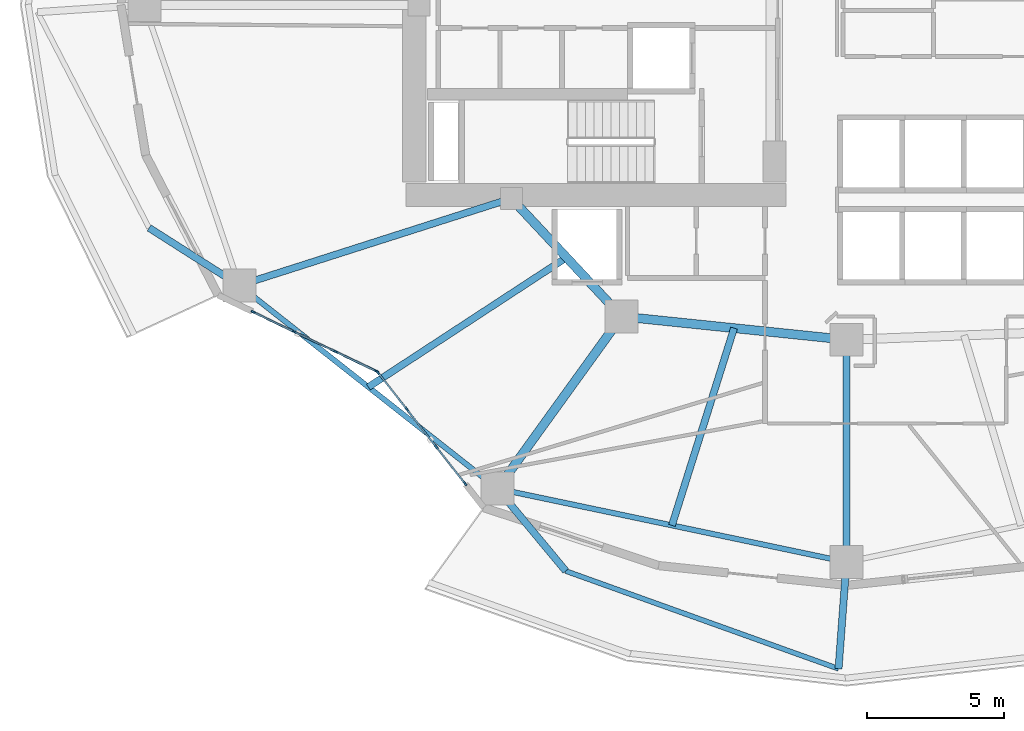
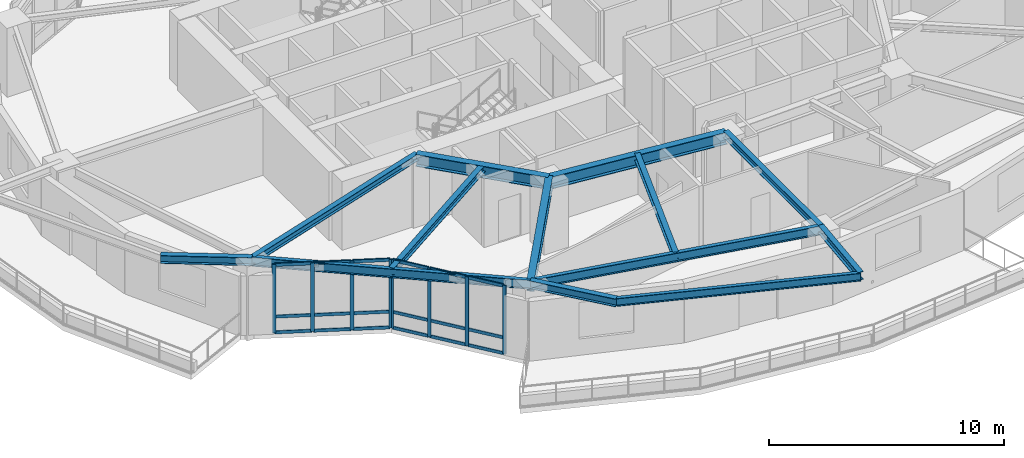
# One storey, part 2 of 18: 26 members, 13 beams, 2 elements without a shape of their own.
"""IFC4 building model written with IfcOpenShell, lengths in metres."""

import ifcopenshell
import ifcopenshell.guid

model = None  # the IFC model being written
_history = None  # IfcOwnerHistory: only IFC2X3 demands one
_inside = {}  # id of a spatial element -> (the spatial element, [elements in it])
_under = {}  # id of a project, library or spatial element -> (it, [spatial elements below it])
_declared = {}  # id of a project -> (the project, [libraries it declares])
_typed = {}  # id of a type object -> (the type object, [elements of that type])
_made_of = {}  # id of a material, layer set ... -> (it, [elements and type objects made of it])


def new_model(schema):
    """Start an empty IFC model of exactly this schema.

    Asked for "IFC4X3", IfcOpenShell would pick the latest addendum, in which some entities
    have other attributes; the version numbers below select the first issue.
    IFC2X3 requires an IfcOwnerHistory on every rooted entity: one is made here for all.
    """
    global model, _history
    if schema == "IFC4X3":
        model = ifcopenshell.file(schema_version=(4, 3, 0, 0))
    else:
        model = ifcopenshell.file(schema=schema)
    _inside.clear()
    _under.clear()
    _declared.clear()
    _typed.clear()
    _made_of.clear()
    _history = None
    if model.schema == "IFC2X3":
        org = make("IfcOrganization", Name="unknown")
        user = make(
            "IfcPersonAndOrganization",
            ThePerson=make("IfcPerson", FamilyName="unknown"),
            TheOrganization=org,
        )
        app = make(
            "IfcApplication",
            ApplicationDeveloper=org,
            Version="unknown",
            ApplicationFullName="unknown",
            ApplicationIdentifier="unknown",
        )
        _history = make(
            "IfcOwnerHistory",
            OwningUser=user,
            OwningApplication=app,
            ChangeAction="ADDED",
            CreationDate=0,
        )
    return model


def make(cls, **values):
    """One entity of the class cls with the attributes given. An attribute that is None is left unset."""
    return model.create_entity(
        cls, **{name: value for name, value in values.items() if value is not None}
    )


def rooted(cls, **values):
    """An entity with a GlobalId (a new one), such as an element, a storey or a relation."""
    return make(cls, GlobalId=ifcopenshell.guid.new(), OwnerHistory=_history, **values)


def si_unit(unit_type, name, prefix=None):
    """IfcSIUnit, for example si_unit("LENGTHUNIT", "METRE", prefix="MILLI")."""
    return make("IfcSIUnit", UnitType=unit_type, Prefix=prefix, Name=name)


def assignment(units):
    """IfcUnitAssignment: the units of a project."""
    return None if units is None else make("IfcUnitAssignment", Units=units)


def point(xyz):
    """IfcCartesianPoint."""
    return None if xyz is None else make("IfcCartesianPoint", Coordinates=xyz)


def direction(xyz):
    """IfcDirection."""
    return None if xyz is None else make("IfcDirection", DirectionRatios=xyz)


def frame(location, z_axis=None, x_axis=None):
    """IfcAxis2Placement3D, a coordinate frame: its origin and axes. An axis left out is left unset."""
    return make(
        "IfcAxis2Placement3D",
        Location=point(location),
        Axis=direction(z_axis),
        RefDirection=direction(x_axis),
    )


def frame_2d(location, x_axis=None):
    """IfcAxis2Placement2D, a coordinate frame in the plane: its origin and x axis."""
    return make(
        "IfcAxis2Placement2D", Location=point(location), RefDirection=direction(x_axis)
    )


def origin():
    """The frame at (0, 0, 0) with its axes left unset."""
    return frame((0.0, 0.0, 0.0))


def origin_2d():
    """The frame at (0, 0) in the plane with its x axis left unset."""
    return frame_2d((0.0, 0.0))


def place(relative_to, where):
    """IfcLocalPlacement: puts the frame where relative to a parent placement (None: the world)."""
    return make(
        "IfcLocalPlacement", PlacementRelTo=relative_to, RelativePlacement=where
    )


def context(
    kind, dimensions, precision=None, world=None, true_north=None, identifier=None
):
    """IfcGeometricRepresentationContext, for example the 3D "Model" context."""
    return make(
        "IfcGeometricRepresentationContext",
        ContextIdentifier=identifier,
        ContextType=kind,
        CoordinateSpaceDimension=dimensions,
        Precision=precision,
        WorldCoordinateSystem=world,
        TrueNorth=true_north,
    )


def subcontext(parent, identifier, kind, view, scale=None):
    """IfcGeometricRepresentationSubContext, for example "Body" below "Model"."""
    return make(
        "IfcGeometricRepresentationSubContext",
        ContextIdentifier=identifier,
        ContextType=kind,
        ParentContext=parent,
        TargetScale=scale,
        TargetView=view,
    )


def project(units=None, contexts=None):
    """IfcProject with its units and contexts."""
    return rooted(
        "IfcProject",
        Name="project",
        RepresentationContexts=contexts,
        UnitsInContext=assignment(units),
    )


def spatial(cls, under=None, at=None, **own):
    """A site, building, storey or space (cls), placed at a placement, below another one or the project."""
    s = rooted(cls, ObjectPlacement=at, **own)
    if under is not None:
        _under.setdefault(under.id(), (under, []))[1].append(s)
    return s


def profile(cls, at=None, kind="AREA", **sizes):
    """A parametric profile (cls). Its sizes go by their IFC names, for example OverallWidth=200.0."""
    return make(cls, ProfileType=kind, Position=at, **sizes)


def rectangle(**sizes):
    """IfcRectangleProfileDef."""
    return profile("IfcRectangleProfileDef", **sizes)


def i_section(**sizes):
    """IfcIShapeProfileDef."""
    return profile("IfcIShapeProfileDef", **sizes)


def extrude(swept, where, along, depth):
    """IfcExtrudedAreaSolid: the profile swept, set in the frame where, extruded along a direction by depth."""
    return make(
        "IfcExtrudedAreaSolid",
        SweptArea=swept,
        Position=where,
        ExtrudedDirection=direction(along),
        Depth=depth,
    )


def shape(context_of_items, identifier, shape_type, items):
    """IfcShapeRepresentation: the items that make up one representation, for example the "Body"."""
    return make(
        "IfcShapeRepresentation",
        ContextOfItems=context_of_items,
        RepresentationIdentifier=identifier,
        RepresentationType=shape_type,
        Items=items,
    )


def material(Name=None, Category=None):
    """IfcMaterial."""
    return make("IfcMaterial", Name=Name, Category=Category)


def layer(
    of_material, thickness, ventilated=None, Name=None, Category=None, Priority=None
):
    """IfcMaterialLayer: one layer of a wall or slab, of a material (None: an air gap)."""
    return make(
        "IfcMaterialLayer",
        Material=of_material,
        LayerThickness=thickness,
        IsVentilated=ventilated,
        Name=Name,
        Category=Category,
        Priority=Priority,
    )


def layer_set(layers, Name=None):
    """IfcMaterialLayerSet."""
    return make("IfcMaterialLayerSet", MaterialLayers=layers, LayerSetName=Name)


def material_profile(
    of_material, cross_section, Name=None, Category=None, Priority=None
):
    """IfcMaterialProfile: a cross section and its material."""
    return make(
        "IfcMaterialProfile",
        Name=Name,
        Material=of_material,
        Profile=cross_section,
        Priority=Priority,
        Category=Category,
    )


def profile_set(profiles, Name=None, composite=None):
    """IfcMaterialProfileSet."""
    return make(
        "IfcMaterialProfileSet",
        Name=Name,
        MaterialProfiles=profiles,
        CompositeProfile=composite,
    )


def made_of(thing, what):
    """Note that an element or type object is made of a material, layer set ...; save() writes the relation."""
    if what is not None:
        _made_of.setdefault(what.id(), (what, []))[1].append(thing)
    return thing


def type_object(cls, material=None, **own):
    """A type object (cls), such as IfcWallType, which elements share."""
    return made_of(rooted(cls, **own), material)


def element(
    cls,
    number,
    at=None,
    inside=None,
    cuts=None,
    type_object=None,
    material=None,
    context=None,
    identifier="Body",
    shape_type=None,
    held_by="IfcProductDefinitionShape",
    body=None,
    shapes=None,
    **own,
):
    """One element of the class cls, such as IfcWall. Its Tag is "e" and its number.

    at: its placement. inside: the storey or other place that contains it. cuts: it is an
    opening in that element (IfcRelVoidsElement). A single representation is given by context,
    identifier, shape_type and body (its items); several are given by shapes. held_by: the class
    of the entity that holds the representations. save() writes the other relations.
    """
    e = rooted(cls, Tag="e%d" % number, ObjectPlacement=at, **own)
    if body is not None:
        shapes = [shape(context, identifier, shape_type, body)]
    if shapes is not None:
        e.Representation = make(held_by, Representations=shapes)
    if inside is not None:
        _inside.setdefault(inside.id(), (inside, []))[1].append(e)
    if cuts is not None:
        rooted(
            "IfcRelVoidsElement", RelatingBuildingElement=cuts, RelatedOpeningElement=e
        )
    if type_object is not None:
        _typed.setdefault(type_object.id(), (type_object, []))[1].append(e)
    return made_of(e, material)


def aggregate(whole, parts):
    """IfcRelAggregates: a whole, such as a stair, and the parts it consists of."""
    return rooted("IfcRelAggregates", RelatingObject=whole, RelatedObjects=parts)


def save(model, path):
    """Write the relations noted so far, then the file.

    IfcRelAggregates (storeys below a building ...), IfcRelContainedInSpatialStructure (elements
    in a storey), IfcRelDefinesByType, IfcRelAssociatesMaterial and IfcRelDeclares: one each for
    every whole, place, type object, material and project.
    """
    for whole, parts in _under.values():
        aggregate(whole, parts)
    for where, things in _inside.values():
        rooted(
            "IfcRelContainedInSpatialStructure",
            RelatedElements=things,
            RelatingStructure=where,
        )
    for kind, things in _typed.values():
        rooted("IfcRelDefinesByType", RelatedObjects=things, RelatingType=kind)
    for what, things in _made_of.values():
        rooted("IfcRelAssociatesMaterial", RelatedObjects=things, RelatingMaterial=what)
    for by, libraries in _declared.values():
        rooted("IfcRelDeclares", RelatingContext=by, RelatedDefinitions=libraries)
    model.write(path)


model = new_model("IFC4")

# Units and contexts
model_context = context("Model", 3, precision=1e-05, world=origin(), true_north=direction((0.0, 1.0)))
body_context = subcontext(model_context, "Body", "Model", "MODEL_VIEW")
ifc_project = project(units=[si_unit("LENGTHUNIT", "METRE"), si_unit("AREAUNIT", "SQUARE_METRE"), si_unit("VOLUMEUNIT", "CUBIC_METRE"), si_unit("PLANEANGLEUNIT", "RADIAN"), si_unit("MASSUNIT", "GRAM", prefix="KILO")], contexts=[model_context])

# Site, building, storey
site_placement = place(None, origin())
site = spatial("IfcSite", under=ifc_project, at=site_placement, CompositionType="ELEMENT")
building_placement = place(site_placement, origin())
building = spatial("IfcBuilding", under=site, at=building_placement, Name="Kolvaren Gate Tower and Convention Centre", CompositionType="ELEMENT")
storey_placement = place(building_placement, frame((0.0, 0.0, 53.449951171875)))
storey = spatial("IfcBuildingStorey", under=building, at=storey_placement, Name="L12", CompositionType="ELEMENT", Elevation=53.449951171875)

# Curtain wall, members
ifc_material_1 = material(Name="Anodized Architectural Aluminium Alloy 6063-T6", Category="aluminium")
ifc_layer = layer(ifc_material_1, 0.159912109375)
ifc_layer_set = layer_set([ifc_layer], Name="Anodized Architectural Aluminium Alloy 6063-T6")
curtain_wall_type = type_object("IfcCurtainWallType", Name="CW-OFF-UNIT", PredefinedType="NOTDEFINED", material=ifc_layer_set)
curtain_wall_1_placement = place(storey_placement, origin())
curtain_wall_1 = element("IfcCurtainWall", 1, at=curtain_wall_1_placement, inside=storey, type_object=curtain_wall_type, Name="Tower L12 Unitised Curtain Wall CW-OFF-UNIT Bay 14", PredefinedType="NOTDEFINED")
ifc_material_profile_1 = material_profile(ifc_material_1, rectangle(XDim=0.06494140625, YDim=0.159912109375, at=origin_2d()), Name="CW-MEM-MUL-160")
ifc_profile_set_1 = profile_set([ifc_material_profile_1], Name="Anodized Architectural Aluminium Alloy 6063-T6")
member_type_1 = type_object("IfcMemberType", Name="CW-MEM-MUL-160", PredefinedType="MULLION", material=ifc_profile_set_1)
member_1_placement = place(storey_placement, frame((8.503662109375, 15.812744140625, 0.0), z_axis=(0.0, 0.0, 1.0), x_axis=(0.433074806981, 0.901357981913, 0.0)))
member_1 = element("IfcMember", 2, at=member_1_placement, type_object=member_type_1, Name="CW-02 mullion 1", PredefinedType="MULLION", context=body_context, shape_type="SweptSolid", body=[
    extrude(rectangle(XDim=0.06494140625, YDim=0.159912109375, at=origin_2d()), origin(), (0.0, 0.0, 1.0), 3.570068359375),
])
member_2_placement = place(storey_placement, frame((9.991455078125, 15.097900390625, 0.0), z_axis=(0.0, 0.0, 1.0), x_axis=(0.433074806981, 0.901357981913, 0.0)))
member_2 = element("IfcMember", 3, at=member_2_placement, type_object=member_type_1, Name="CW-02 mullion 2", PredefinedType="MULLION", context=body_context, shape_type="SweptSolid", body=[
    extrude(rectangle(XDim=0.06494140625, YDim=0.159912109375, at=origin_2d()), origin(), (0.0, 0.0, 1.0), 3.570068359375),
])
member_3_placement = place(storey_placement, frame((11.5087890625, 14.368896484375, 0.0), z_axis=(0.0, 0.0, 1.0), x_axis=(0.433074806981, 0.901357981913, 0.0)))
member_3 = element("IfcMember", 4, at=member_3_placement, type_object=member_type_1, Name="CW-02 mullion 3", PredefinedType="MULLION", context=body_context, shape_type="SweptSolid", body=[
    extrude(rectangle(XDim=0.06494140625, YDim=0.159912109375, at=origin_2d()), origin(), (0.0, 0.0, 1.0), 3.570068359375),
])
member_4_placement = place(storey_placement, frame((12.996826171875, 13.654052734375, 0.0), z_axis=(0.0, 0.0, 1.0), x_axis=(0.433074806981, 0.901357981913, 0.0)))
member_4 = element("IfcMember", 5, at=member_4_placement, type_object=member_type_1, Name="CW-02 mullion 4", PredefinedType="MULLION", context=body_context, shape_type="SweptSolid", body=[
    extrude(rectangle(XDim=0.06494140625, YDim=0.159912109375, at=origin_2d()), origin(), (0.0, 0.0, 1.0), 3.570068359375),
])

curtain_wall_2_placement = place(storey_placement, origin())
curtain_wall_2 = element("IfcCurtainWall", 6, at=curtain_wall_2_placement, inside=storey, type_object=curtain_wall_type, Name="Tower L12 Unitised Curtain Wall CW-OFF-UNIT Bay 15", PredefinedType="NOTDEFINED")
member_5_placement = place(storey_placement, frame((13.046142578125, 13.6142578125, 0.0), z_axis=(0.0, 0.0, 1.0), x_axis=(0.787412382353, 0.616426589398, 0.0)))
member_5 = element("IfcMember", 7, at=member_5_placement, type_object=member_type_1, Name="CW-02 mullion 1", PredefinedType="MULLION", context=body_context, shape_type="SweptSolid", body=[
    extrude(rectangle(XDim=0.06494140625, YDim=0.159912109375, at=origin_2d()), origin(), (0.0, 0.0, 1.0), 3.570068359375),
])
member_6_placement = place(storey_placement, frame((14.098388671875, 12.270263671875, 0.0), z_axis=(0.0, 0.0, 1.0), x_axis=(0.787412382353, 0.616426589398, 0.0)))
member_6 = element("IfcMember", 8, at=member_6_placement, type_object=member_type_1, Name="CW-02 mullion 2", PredefinedType="MULLION", context=body_context, shape_type="SweptSolid", body=[
    extrude(rectangle(XDim=0.06494140625, YDim=0.159912109375, at=origin_2d()), origin(), (0.0, 0.0, 1.0), 3.570068359375),
])
member_7_placement = place(storey_placement, frame((15.17041015625, 10.90087890625, 0.0), z_axis=(0.0, 0.0, 1.0), x_axis=(0.787412382353, 0.616426589398, 0.0)))
member_7 = element("IfcMember", 9, at=member_7_placement, type_object=member_type_1, Name="CW-02 mullion 3", PredefinedType="MULLION", context=body_context, shape_type="SweptSolid", body=[
    extrude(rectangle(XDim=0.06494140625, YDim=0.159912109375, at=origin_2d()), origin(), (0.0, 0.0, 1.0), 3.570068359375),
])
member_8_placement = place(storey_placement, frame((16.22265625, 9.556884765625, 0.0), z_axis=(0.0, 0.0, 1.0), x_axis=(0.787412382353, 0.616426589398, 0.0)))
member_8 = element("IfcMember", 10, at=member_8_placement, type_object=member_type_1, Name="CW-02 mullion 4", PredefinedType="MULLION", context=body_context, shape_type="SweptSolid", body=[
    extrude(rectangle(XDim=0.06494140625, YDim=0.159912109375, at=origin_2d()), origin(), (0.0, 0.0, 1.0), 3.570068359375),
])

# Member
ifc_material_profile_2 = material_profile(ifc_material_1, rectangle(XDim=0.06494140625, YDim=0.159912109375, at=origin_2d()), Name="CW-MEM-TRN-160")
ifc_profile_set_2 = profile_set([ifc_material_profile_2], Name="Anodized Architectural Aluminium Alloy 6063-T6")
member_type_2 = type_object("IfcMemberType", Name="CW-MEM-TRN-160", PredefinedType="USERDEFINED", material=ifc_profile_set_2)
member_9_placement = place(storey_placement, frame((8.532958984375, 15.798828125, 0.032470703125), z_axis=(0.901337971308, -0.43311645256, 0.0), x_axis=(0.43311645256, 0.901337971308, 0.0)))
member_9 = element("IfcMember", 11, at=member_9_placement, type_object=member_type_2, Name="CW-02 transom 1.1", ObjectType="TRANSOM", PredefinedType="USERDEFINED", context=body_context, shape_type="SweptSolid", body=[
    extrude(rectangle(XDim=0.06494140625, YDim=0.159912109375, at=origin_2d()), origin(), (0.0, 0.0, 1.0), 1.585693359375),
])

member_10_placement = place(storey_placement, frame((8.532958984375, 15.798828125, 0.85009765625), z_axis=(0.901337971308, -0.43311645256, 0.0), x_axis=(0.43311645256, 0.901337971308, 0.0)))
member_10 = element("IfcMember", 12, at=member_10_placement, type_object=member_type_2, Name="CW-02 transom 1.2", ObjectType="TRANSOM", PredefinedType="USERDEFINED", context=body_context, shape_type="SweptSolid", body=[
    extrude(rectangle(XDim=0.06494140625, YDim=0.159912109375, at=origin_2d()), origin(), (0.0, 0.0, 1.0), 1.585693359375),
])

member_11_placement = place(storey_placement, frame((8.532958984375, 15.798828125, 3.53759765625), z_axis=(0.901337971308, -0.43311645256, 0.0), x_axis=(0.43311645256, 0.901337971308, 0.0)))
member_11 = element("IfcMember", 13, at=member_11_placement, type_object=member_type_2, Name="CW-02 transom 1.3", ObjectType="TRANSOM", PredefinedType="USERDEFINED", context=body_context, shape_type="SweptSolid", body=[
    extrude(rectangle(XDim=0.06494140625, YDim=0.159912109375, at=origin_2d()), origin(), (0.0, 0.0, 1.0), 1.585693359375),
])

member_12_placement = place(storey_placement, frame((10.020751953125, 15.083740234375, 0.032470703125), z_axis=(0.901405315808, -0.432976277217, 0.0), x_axis=(0.432976277217, 0.901405315808, 0.0)))
member_12 = element("IfcMember", 14, at=member_12_placement, type_object=member_type_2, Name="CW-02 transom 2.1", ObjectType="TRANSOM", PredefinedType="USERDEFINED", context=body_context, shape_type="SweptSolid", body=[
    extrude(rectangle(XDim=0.06494140625, YDim=0.159912109375, at=origin_2d()), origin(), (0.0, 0.0, 1.0), 1.618408203125),
])

member_13_placement = place(storey_placement, frame((10.020751953125, 15.083740234375, 0.85009765625), z_axis=(0.901405315808, -0.432976277217, 0.0), x_axis=(0.432976277217, 0.901405315808, 0.0)))
member_13 = element("IfcMember", 15, at=member_13_placement, type_object=member_type_2, Name="CW-02 transom 2.2", ObjectType="TRANSOM", PredefinedType="USERDEFINED", context=body_context, shape_type="SweptSolid", body=[
    extrude(rectangle(XDim=0.06494140625, YDim=0.159912109375, at=origin_2d()), origin(), (0.0, 0.0, 1.0), 1.618408203125),
])

member_14_placement = place(storey_placement, frame((10.020751953125, 15.083740234375, 3.53759765625), z_axis=(0.901405315808, -0.432976277217, 0.0), x_axis=(0.432976277217, 0.901405315808, 0.0)))
member_14 = element("IfcMember", 16, at=member_14_placement, type_object=member_type_2, Name="CW-02 transom 2.3", ObjectType="TRANSOM", PredefinedType="USERDEFINED", context=body_context, shape_type="SweptSolid", body=[
    extrude(rectangle(XDim=0.06494140625, YDim=0.159912109375, at=origin_2d()), origin(), (0.0, 0.0, 1.0), 1.618408203125),
])

member_15_placement = place(storey_placement, frame((11.5380859375, 14.354736328125, 0.032470703125), z_axis=(0.90136684843, -0.433056352628, 0.0), x_axis=(0.433056352628, 0.90136684843, 0.0)))
member_15 = element("IfcMember", 17, at=member_15_placement, type_object=member_type_2, Name="CW-02 transom 3.1", ObjectType="TRANSOM", PredefinedType="USERDEFINED", context=body_context, shape_type="SweptSolid", body=[
    extrude(rectangle(XDim=0.06494140625, YDim=0.159912109375, at=origin_2d()), origin(), (0.0, 0.0, 1.0), 1.5859375),
])

member_16_placement = place(storey_placement, frame((11.5380859375, 14.354736328125, 0.85009765625), z_axis=(0.90136684843, -0.433056352628, 0.0), x_axis=(0.433056352628, 0.90136684843, 0.0)))
member_16 = element("IfcMember", 18, at=member_16_placement, type_object=member_type_2, Name="CW-02 transom 3.2", ObjectType="TRANSOM", PredefinedType="USERDEFINED", context=body_context, shape_type="SweptSolid", body=[
    extrude(rectangle(XDim=0.06494140625, YDim=0.159912109375, at=origin_2d()), origin(), (0.0, 0.0, 1.0), 1.5859375),
])

member_17_placement = place(storey_placement, frame((11.5380859375, 14.354736328125, 3.53759765625), z_axis=(0.90136684843, -0.433056352628, 0.0), x_axis=(0.433056352628, 0.90136684843, 0.0)))
member_17 = element("IfcMember", 19, at=member_17_placement, type_object=member_type_2, Name="CW-02 transom 3.3", ObjectType="TRANSOM", PredefinedType="USERDEFINED", context=body_context, shape_type="SweptSolid", body=[
    extrude(rectangle(XDim=0.06494140625, YDim=0.159912109375, at=origin_2d()), origin(), (0.0, 0.0, 1.0), 1.5859375),
])

aggregate(curtain_wall_1, [member_1, member_2, member_3, member_4, member_9, member_10, member_11, member_12, member_13, member_14, member_15, member_16, member_17])

member_18_placement = place(storey_placement, frame((13.066162109375, 13.588623046875, 0.032470703125), z_axis=(0.616408501706, -0.787426541986, 0.0), x_axis=(0.787426541986, 0.616408501706, 0.0)))
member_18 = element("IfcMember", 20, at=member_18_placement, type_object=member_type_2, Name="CW-02 transom 1.1", ObjectType="TRANSOM", PredefinedType="USERDEFINED", context=body_context, shape_type="SweptSolid", body=[
    extrude(rectangle(XDim=0.06494140625, YDim=0.159912109375, at=origin_2d()), origin(), (0.0, 0.0, 1.0), 1.6416015625),
])

member_19_placement = place(storey_placement, frame((13.066162109375, 13.588623046875, 0.85009765625), z_axis=(0.616408501706, -0.787426541986, 0.0), x_axis=(0.787426541986, 0.616408501706, 0.0)))
member_19 = element("IfcMember", 21, at=member_19_placement, type_object=member_type_2, Name="CW-02 transom 1.2", ObjectType="TRANSOM", PredefinedType="USERDEFINED", context=body_context, shape_type="SweptSolid", body=[
    extrude(rectangle(XDim=0.06494140625, YDim=0.159912109375, at=origin_2d()), origin(), (0.0, 0.0, 1.0), 1.6416015625),
])

member_20_placement = place(storey_placement, frame((13.066162109375, 13.588623046875, 3.53759765625), z_axis=(0.616408501706, -0.787426541986, 0.0), x_axis=(0.787426541986, 0.616408501706, 0.0)))
member_20 = element("IfcMember", 22, at=member_20_placement, type_object=member_type_2, Name="CW-02 transom 1.3", ObjectType="TRANSOM", PredefinedType="USERDEFINED", context=body_context, shape_type="SweptSolid", body=[
    extrude(rectangle(XDim=0.06494140625, YDim=0.159912109375, at=origin_2d()), origin(), (0.0, 0.0, 1.0), 1.6416015625),
])

member_21_placement = place(storey_placement, frame((14.118408203125, 12.24462890625, 0.032470703125), z_axis=(0.61639082822, -0.787440376718, 0.0), x_axis=(0.787440376718, 0.61639082822, 0.0)))
member_21 = element("IfcMember", 23, at=member_21_placement, type_object=member_type_2, Name="CW-02 transom 2.1", ObjectType="TRANSOM", PredefinedType="USERDEFINED", context=body_context, shape_type="SweptSolid", body=[
    extrude(rectangle(XDim=0.06494140625, YDim=0.159912109375, at=origin_2d()), origin(), (0.0, 0.0, 1.0), 1.67431640625),
])

member_22_placement = place(storey_placement, frame((14.118408203125, 12.24462890625, 0.85009765625), z_axis=(0.61639082822, -0.787440376718, 0.0), x_axis=(0.787440376718, 0.61639082822, 0.0)))
member_22 = element("IfcMember", 24, at=member_22_placement, type_object=member_type_2, Name="CW-02 transom 2.2", ObjectType="TRANSOM", PredefinedType="USERDEFINED", context=body_context, shape_type="SweptSolid", body=[
    extrude(rectangle(XDim=0.06494140625, YDim=0.159912109375, at=origin_2d()), origin(), (0.0, 0.0, 1.0), 1.67431640625),
])

member_23_placement = place(storey_placement, frame((14.118408203125, 12.24462890625, 3.53759765625), z_axis=(0.61639082822, -0.787440376718, 0.0), x_axis=(0.787440376718, 0.61639082822, 0.0)))
member_23 = element("IfcMember", 25, at=member_23_placement, type_object=member_type_2, Name="CW-02 transom 2.3", ObjectType="TRANSOM", PredefinedType="USERDEFINED", context=body_context, shape_type="SweptSolid", body=[
    extrude(rectangle(XDim=0.06494140625, YDim=0.159912109375, at=origin_2d()), origin(), (0.0, 0.0, 1.0), 1.67431640625),
])

member_24_placement = place(storey_placement, frame((15.1904296875, 10.875244140625, 0.032470703125), z_axis=(0.616428523412, -0.787410868304, 0.0), x_axis=(0.787410868304, 0.616428523412, 0.0)))
member_24 = element("IfcMember", 26, at=member_24_placement, type_object=member_type_2, Name="CW-02 transom 3.1", ObjectType="TRANSOM", PredefinedType="USERDEFINED", context=body_context, shape_type="SweptSolid", body=[
    extrude(rectangle(XDim=0.06494140625, YDim=0.159912109375, at=origin_2d()), origin(), (0.0, 0.0, 1.0), 1.64208984375),
])

member_25_placement = place(storey_placement, frame((15.1904296875, 10.875244140625, 0.85009765625), z_axis=(0.616428523412, -0.787410868304, 0.0), x_axis=(0.787410868304, 0.616428523412, 0.0)))
member_25 = element("IfcMember", 27, at=member_25_placement, type_object=member_type_2, Name="CW-02 transom 3.2", ObjectType="TRANSOM", PredefinedType="USERDEFINED", context=body_context, shape_type="SweptSolid", body=[
    extrude(rectangle(XDim=0.06494140625, YDim=0.159912109375, at=origin_2d()), origin(), (0.0, 0.0, 1.0), 1.64208984375),
])

member_26_placement = place(storey_placement, frame((15.1904296875, 10.875244140625, 3.53759765625), z_axis=(0.616428523412, -0.787410868304, 0.0), x_axis=(0.787410868304, 0.616428523412, 0.0)))
member_26 = element("IfcMember", 28, at=member_26_placement, type_object=member_type_2, Name="CW-02 transom 3.3", ObjectType="TRANSOM", PredefinedType="USERDEFINED", context=body_context, shape_type="SweptSolid", body=[
    extrude(rectangle(XDim=0.06494140625, YDim=0.159912109375, at=origin_2d()), origin(), (0.0, 0.0, 1.0), 1.64208984375),
])

aggregate(curtain_wall_2, [member_5, member_6, member_7, member_8, member_18, member_19, member_20, member_21, member_22, member_23, member_24, member_25, member_26])

# Beams
ifc_material_2 = material(Name="Structural steel ASTM A992 Grade 345 MPa", Category="steel")
ifc_material_profile_3 = material_profile(ifc_material_2, i_section(OverallWidth=0.260009765625, OverallDepth=0.419921875, WebThickness=0.013427734375, FlangeThickness=0.0224609375, at=origin_2d()), Name="W410X132")
ifc_profile_set_3 = profile_set([ifc_material_profile_3], Name="Structural steel ASTM A992 Grade 345 MPa")
beam_type_1 = type_object("IfcBeamType", Name="STR-BM-W410X132", PredefinedType="BEAM", material=ifc_profile_set_3)
beam_1_placement = place(storey_placement, frame((8.001220703125, 16.781494140625, 3.360595703125), z_axis=(-0.843548050681, 0.537053708853, 0.0), x_axis=(-0.537053708853, -0.843548050681, 0.0)))
element("IfcBeam", 29, at=beam_1_placement, inside=storey, type_object=beam_type_1, Name="Tower L13 Planted Balcony Outrigger Cantilever BC-2B", PredefinedType="BEAM", context=body_context, shape_type="SweptSolid", body=[
    extrude(i_section(OverallWidth=0.260009765625, OverallDepth=0.419921875, WebThickness=0.013427734375, FlangeThickness=0.0224609375, at=origin_2d()), origin(), (0.0, 0.0, 1.0), 3.89990234375),
])
beam_2_placement = place(storey_placement, frame((17.403564453125, 9.372802734375, 3.360595703125), z_axis=(0.639069265421, -0.769149188386, 0.0), x_axis=(0.769149188386, 0.639069265421, 0.0)))
element("IfcBeam", 30, at=beam_2_placement, inside=storey, type_object=beam_type_1, Name="Tower L13 Planted Balcony Outrigger Cantilever BC-3A", PredefinedType="BEAM", context=body_context, shape_type="SweptSolid", body=[
    extrude(i_section(OverallWidth=0.260009765625, OverallDepth=0.419921875, WebThickness=0.013427734375, FlangeThickness=0.0224609375, at=origin_2d()), origin(), (0.0, 0.0, 1.0), 3.900146484375),
])
beam_3_placement = place(storey_placement, frame((30.125, 6.699951171875, 3.360595703125), z_axis=(-0.074182982185, -0.997244646591, 0.0), x_axis=(0.997244646591, -0.074182982185, 0.0)))
element("IfcBeam", 31, at=beam_3_placement, inside=storey, type_object=beam_type_1, Name="Tower L13 Planted Balcony Outrigger Cantilever BC-3B", PredefinedType="BEAM", context=body_context, shape_type="SweptSolid", body=[
    extrude(i_section(OverallWidth=0.260009765625, OverallDepth=0.419921875, WebThickness=0.013427734375, FlangeThickness=0.0224609375, at=origin_2d()), origin(), (0.0, 0.0, 1.0), 3.89990234375),
])
ifc_material_profile_4 = material_profile(ifc_material_2, i_section(OverallWidth=0.327880859375, OverallDepth=0.6279296875, WebThickness=0.0166015625, FlangeThickness=0.027587890625, at=origin_2d()), Name="W610X217")
ifc_profile_set_4 = profile_set([ifc_material_profile_4], Name="Structural steel ASTM A992 Grade 345 MPa")
beam_type_2 = type_object("IfcBeamType", Name="STR-BM-W610X217", PredefinedType="BEAM", material=ifc_profile_set_4)
beam_4_placement = place(storey_placement, frame((17.9140625, 19.949951171875, 3.256103515625), z_axis=(0.682557592987, -0.730831808459, 0.0), x_axis=(0.730831808459, 0.682557592987, 0.0)))
element("IfcBeam", 32, at=beam_4_placement, inside=storey, type_object=beam_type_2, Name="Tower L12 Primary Ring Girder G-06", PredefinedType="BEAM", context=body_context, shape_type="SweptSolid", body=[
    extrude(i_section(OverallWidth=0.327880859375, OverallDepth=0.6279296875, WebThickness=0.0166015625, FlangeThickness=0.027587890625, at=origin_2d()), origin(), (0.0, 0.0, 1.0), 5.88671875),
])
beam_5_placement = place(storey_placement, frame((21.93212890625, 15.647705078125, 3.256103515625), z_axis=(0.994690329115, -0.102913308978, 0.0), x_axis=(0.102913308978, 0.994690329115, 0.0)))
element("IfcBeam", 33, at=beam_5_placement, inside=storey, type_object=beam_type_2, Name="Tower L12 Primary Ring Girder G-07", PredefinedType="BEAM", context=body_context, shape_type="SweptSolid", body=[
    extrude(i_section(OverallWidth=0.327880859375, OverallDepth=0.6279296875, WebThickness=0.0166015625, FlangeThickness=0.027587890625, at=origin_2d()), origin(), (0.0, 0.0, 1.0), 8.236572265625),
])
beam_6_placement = place(storey_placement, frame((21.93212890625, 15.647705078125, 3.256103515625), z_axis=(-0.585209453994, -0.810882170821, 0.0), x_axis=(0.810882170821, -0.585209453994, 0.0)))
element("IfcBeam", 34, at=beam_6_placement, inside=storey, type_object=beam_type_2, Name="Tower L12 Radial Floor Girder RB-09", PredefinedType="BEAM", context=body_context, shape_type="SweptSolid", body=[
    extrude(i_section(OverallWidth=0.327880859375, OverallDepth=0.6279296875, WebThickness=0.0166015625, FlangeThickness=0.027587890625, at=origin_2d()), origin(), (0.0, 0.0, 1.0), 7.73828125),
])
ifc_material_profile_5 = material_profile(ifc_material_2, i_section(OverallWidth=0.2548828125, OverallDepth=0.35693359375, WebThickness=0.010498046875, FlangeThickness=0.018310546875, at=origin_2d()), Name="W360X101")
ifc_profile_set_5 = profile_set([ifc_material_profile_5], Name="Structural steel ASTM A992 Grade 345 MPa")
beam_type_3 = type_object("IfcBeamType", Name="STR-JS-W360X101", PredefinedType="JOIST", material=ifc_profile_set_5)
beam_7_placement = place(storey_placement, frame((17.9140625, 19.949951171875, 3.3916015625), z_axis=(-0.952525967456, -0.304457355507, 0.0), x_axis=(0.304457355507, -0.952525967456, 0.0)))
element("IfcBeam", 35, at=beam_7_placement, inside=storey, type_object=beam_type_3, Name="Tower L12 Radial Floor Girder RB-08", PredefinedType="JOIST", context=body_context, shape_type="SweptSolid", body=[
    extrude(i_section(OverallWidth=0.2548828125, OverallDepth=0.35693359375, WebThickness=0.010498046875, FlangeThickness=0.018310546875, at=origin_2d()), origin(), (0.0, 0.0, 1.0), 10.406982421875),
])
beam_8_placement = place(storey_placement, frame((30.125, 14.800048828125, 3.3916015625), z_axis=(0.0, -1.0, 0.0), x_axis=(1.0, 0.0, 0.0)))
element("IfcBeam", 36, at=beam_8_placement, inside=storey, type_object=beam_type_3, Name="Tower L12 Radial Floor Girder RB-10", PredefinedType="JOIST", context=body_context, shape_type="SweptSolid", body=[
    extrude(i_section(OverallWidth=0.2548828125, OverallDepth=0.35693359375, WebThickness=0.010498046875, FlangeThickness=0.018310546875, at=origin_2d()), origin(), (0.0, 0.0, 1.0), 8.10009765625),
])
beam_9_placement = place(storey_placement, frame((19.923095703125, 17.798828125, 3.3916015625), z_axis=(-0.836945684387, -0.547285959428, 0.0), x_axis=(0.547285959428, -0.836945684387, 0.0)))
element("IfcBeam", 37, at=beam_9_placement, inside=storey, type_object=beam_type_3, Name="Tower L12 Secondary Composite Floor Joist J-08.1", PredefinedType="JOIST", context=body_context, shape_type="SweptSolid", body=[
    extrude(i_section(OverallWidth=0.2548828125, OverallDepth=0.35693359375, WebThickness=0.010498046875, FlangeThickness=0.018310546875, at=origin_2d()), origin(), (0.0, 0.0, 1.0), 8.62744140625),
])
beam_10_placement = place(storey_placement, frame((26.028564453125, 15.223876953125, 3.3916015625), z_axis=(-0.300467647472, -0.953792007108, 0.0), x_axis=(0.953792007108, -0.300467647472, 0.0)))
element("IfcBeam", 38, at=beam_10_placement, inside=storey, type_object=beam_type_3, Name="Tower L12 Secondary Composite Floor Joist J-09.1", PredefinedType="JOIST", context=body_context, shape_type="SweptSolid", body=[
    extrude(i_section(OverallWidth=0.2548828125, OverallDepth=0.35693359375, WebThickness=0.010498046875, FlangeThickness=0.018310546875, at=origin_2d()), origin(), (0.0, 0.0, 1.0), 7.535400390625),
])
ifc_material_profile_6 = material_profile(ifc_material_2, i_section(OverallWidth=0.180908203125, OverallDepth=0.4169921875, WebThickness=0.010986328125, FlangeThickness=0.018310546875, at=origin_2d()), Name="W410X85")
ifc_profile_set_6 = profile_set([ifc_material_profile_6], Name="Structural steel ASTM A992 Grade 345 MPa")
beam_type_4 = type_object("IfcBeamType", Name="STR-SP-W410X85", PredefinedType="SPANDREL", material=ifc_profile_set_6)
beam_11_placement = place(storey_placement, frame((19.89599609375, 6.373046875, 3.362060546875), z_axis=(0.941370443611, -0.337374699549, 0.0), x_axis=(0.337374699549, 0.941370443611, 0.0)))
element("IfcBeam", 39, at=beam_11_placement, inside=storey, type_object=beam_type_4, Name="Tower L13 Planted Balcony Header Tie Beam BT-3", PredefinedType="SPANDREL", context=body_context, shape_type="SweptSolid", body=[
    extrude(i_section(OverallWidth=0.180908203125, OverallDepth=0.4169921875, WebThickness=0.010986328125, FlangeThickness=0.018310546875, at=origin_2d()), origin(), (0.0, 0.0, 1.0), 10.558837890625),
])
ifc_material_profile_7 = material_profile(ifc_material_2, i_section(OverallWidth=0.194091796875, OverallDepth=0.468994140625, WebThickness=0.0126953125, FlangeThickness=0.0205078125, at=origin_2d()), Name="W460X106")
ifc_profile_set_7 = profile_set([ifc_material_profile_7], Name="Structural steel ASTM A992 Grade 345 MPa")
beam_type_5 = type_object("IfcBeamType", Name="STR-SP-W460X106", PredefinedType="SPANDREL", material=ifc_profile_set_7)
beam_12_placement = place(storey_placement, frame((8.001220703125, 16.781494140625, 3.33544921875), z_axis=(0.785459824636, -0.618912646407, 0.0), x_axis=(0.618912646407, 0.785459824636, 0.0)))
element("IfcBeam", 40, at=beam_12_placement, inside=storey, type_object=beam_type_5, Name="Tower L12 Perimeter Spandrel Beam SP-08", PredefinedType="SPANDREL", context=body_context, shape_type="SweptSolid", body=[
    extrude(i_section(OverallWidth=0.194091796875, OverallDepth=0.468994140625, WebThickness=0.0126953125, FlangeThickness=0.0205078125, at=origin_2d()), origin(), (0.0, 0.0, 1.0), 11.970458984375),
])
beam_13_placement = place(storey_placement, frame((17.403564453125, 9.372802734375, 3.33544921875), z_axis=(0.978632602148, -0.205616706552, 0.0), x_axis=(0.205616706552, 0.978632602148, 0.0)))
element("IfcBeam", 41, at=beam_13_placement, inside=storey, type_object=beam_type_5, Name="Tower L12 Perimeter Spandrel Beam SP-09", PredefinedType="SPANDREL", context=body_context, shape_type="SweptSolid", body=[
    extrude(i_section(OverallWidth=0.194091796875, OverallDepth=0.468994140625, WebThickness=0.0126953125, FlangeThickness=0.0205078125, at=origin_2d()), origin(), (0.0, 0.0, 1.0), 12.999267578125),
])

save(model, "model.ifc")
